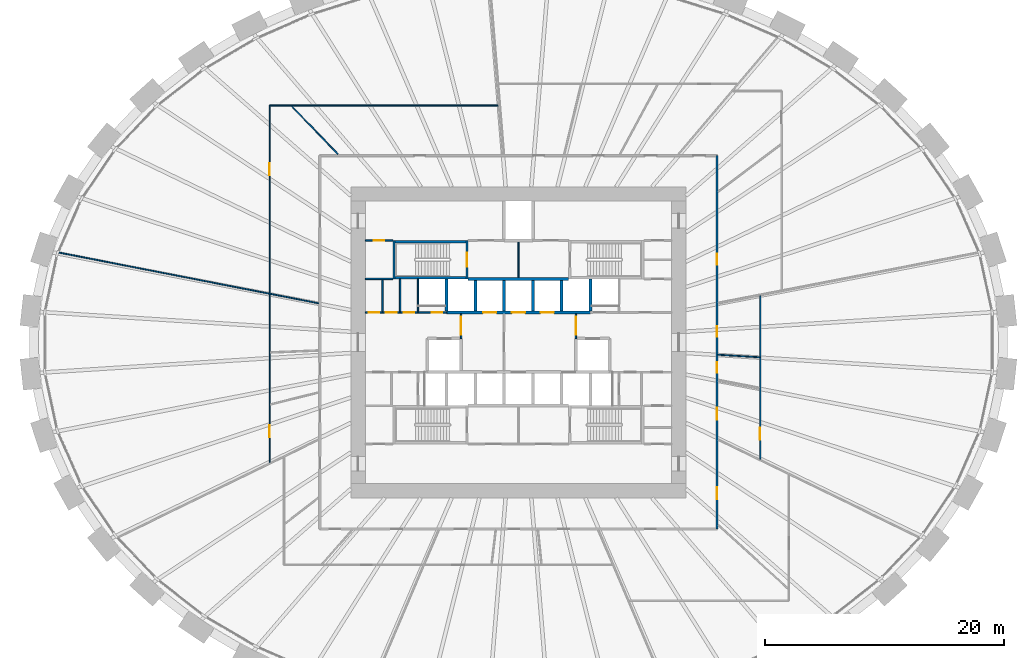
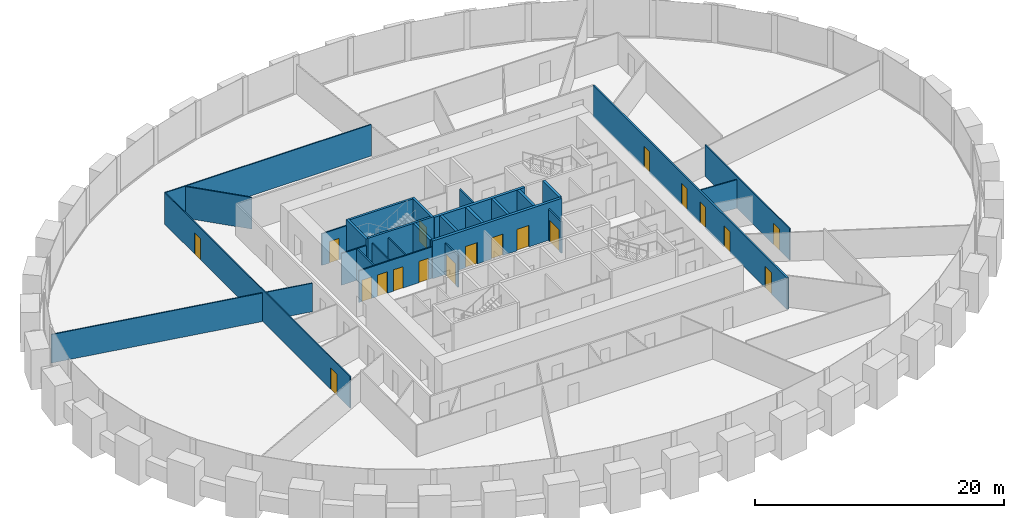
# One storey, part 8 of 11: 28 walls, 19 doors, 19 openings.
"""IFC4 building model written with IfcOpenShell, lengths in metres."""

from ifc_helpers import new_model, si_unit, direction, frame, frame_2d, origin, place, context, subcontext, project, spatial, rectangle, extrude, source, transform, mapped, material, layer, layer_set, type_object, element, fill, save


model = new_model("IFC4")

# Units and contexts
model_context = context("Model", 3, precision=1e-05, world=origin(), true_north=direction((0.0, 1.0)))
body_context = subcontext(model_context, "Body", "Model", "MODEL_VIEW")
ifc_project = project(units=[si_unit("LENGTHUNIT", "METRE"), si_unit("AREAUNIT", "SQUARE_METRE"), si_unit("VOLUMEUNIT", "CUBIC_METRE"), si_unit("PLANEANGLEUNIT", "RADIAN"), si_unit("MASSUNIT", "GRAM", prefix="KILO")], contexts=[model_context])

# Site, building, storey
site_placement = place(None, origin())
site = spatial("IfcSite", under=ifc_project, at=site_placement, CompositionType="ELEMENT")
building_placement = place(site_placement, origin())
building = spatial("IfcBuilding", under=site, at=building_placement, Name="Embergate Tower", CompositionType="ELEMENT")
storey_placement = place(building_placement, frame((0.0, 0.0, 69.800048828125)))
storey = spatial("IfcBuildingStorey", under=building, at=storey_placement, Name="L13", CompositionType="ELEMENT", Elevation=69.800048828125)

# Walls
ifc_material_1 = material(Name="Concrete C50", Category="concrete")
ifc_layer_1 = layer(ifc_material_1, 0.25)
ifc_layer_set_1 = layer_set([ifc_layer_1], Name="Concrete C50")
wall_type_1 = type_object("IfcWallType", Name="Hoistway wall reinforced concrete 250", PredefinedType="SHEAR", material=ifc_layer_set_1)
shared_shape_1 = source(origin(), body_context, "Body", "SweptSolid", [
    extrude(rectangle(XDim=2.675048828125, YDim=0.25, at=frame_2d((1.33740234375, 0.0))), origin(), (0.0, 0.0, 1.0), 3.699951171875),
])
for number, where, z_axis, x_axis, name in (
    (1, (-6.0, 2.625, 0.0), (0.0, 0.0, 1.0), (0.0, 1.0, 0.0), "HW-1 wall"),
    (2, (6.0, 2.625, 0.0), (0.0, 0.0, 1.0), (0.0, 1.0, 0.0), "HW-1 wall"),
):
    element("IfcWall", number, at=place(storey_placement, frame(where, z_axis=z_axis, x_axis=x_axis)), inside=storey, type_object=wall_type_1, Name=name, PredefinedType="SHEAR", context=body_context, shape_type="MappedRepresentation", body=[
        mapped(shared_shape_1, transform((0.0, 0.0, 0.0))),
    ])
ifc_layer_2 = layer(ifc_material_1, 0.199951171875)
ifc_layer_set_2 = layer_set([ifc_layer_2], Name="Concrete C50")
wall_type_2 = type_object("IfcWallType", Name="Stair enclosure wall reinforced concrete 250", PredefinedType="SHEAR", material=ifc_layer_set_2)
shared_shape_2 = source(origin(), body_context, "Body", "SweptSolid", [
    extrude(rectangle(XDim=6.300048828125, YDim=0.199951171875, at=frame_2d((3.14990234375, 0.0))), origin(), (0.0, 0.0, 1.0), 3.699951171875),
])
for number, where, z_axis, x_axis, name in (
    (3, (-4.199951171875, 5.39990234375, 0.0), (0.0, 0.0, 1.0), (-1.0, 0.0, 0.0), "SE-1 wall"),
    (4, (-4.199951171875, 8.39990234375, 0.0), (0.0, 0.0, 1.0), (-1.0, 0.0, 0.0), "SE-1 wall"),
):
    element("IfcWall", number, at=place(storey_placement, frame(where, z_axis=z_axis, x_axis=x_axis)), inside=storey, type_object=wall_type_2, Name=name, PredefinedType="SHEAR", context=body_context, shape_type="MappedRepresentation", body=[
        mapped(shared_shape_2, transform((0.0, 0.0, 0.0))),
    ])
shared_shape_3 = source(origin(), body_context, "Body", "SweptSolid", [
    extrude(rectangle(XDim=2.550048828125, YDim=0.25, at=frame_2d((1.27490234375, 0.0))), origin(), (0.0, 0.0, 1.0), 3.699951171875),
])
for number, where, z_axis, x_axis, name in (
    (5, (-3.60009765625, 2.625, 0.0), (0.0, 0.0, 1.0), (0.0, 1.0, 0.0), "HW-1 wall"),
    (6, (-1.199951171875, 2.625, 0.0), (0.0, 0.0, 1.0), (0.0, 1.0, 0.0), "HW-1 wall"),
    (7, (1.199951171875, 2.625, 0.0), (0.0, 0.0, 1.0), (0.0, 1.0, 0.0), "HW-1 wall"),
    (8, (3.60009765625, 2.625, 0.0), (0.0, 0.0, 1.0), (0.0, 1.0, 0.0), "HW-1 wall"),
):
    element("IfcWall", number, at=place(storey_placement, frame(where, z_axis=z_axis, x_axis=x_axis)), inside=storey, type_object=wall_type_1, Name=name, PredefinedType="SHEAR", context=body_context, shape_type="MappedRepresentation", body=[
        mapped(shared_shape_3, transform((0.0, 0.0, 0.0))),
    ])

# Wall, openings, doors
shared_shape_4 = source(origin(), body_context, "Body", "SweptSolid", [
    extrude(rectangle(XDim=12.0, YDim=0.25, at=frame_2d((6.0, 0.0))), origin(), (0.0, 0.0, 1.0), 3.699951171875),
])
wall_1_placement = place(storey_placement, frame((-6.0, 2.5, 0.0), z_axis=(0.0, 0.0, 1.0), x_axis=(1.0, 0.0, 0.0)))
wall_1 = element("IfcWall", 9, at=wall_1_placement, inside=storey, type_object=wall_type_1, Name="HW-1 wall", PredefinedType="SHEAR", context=body_context, shape_type="MappedRepresentation", body=[
    mapped(shared_shape_4, transform((0.0, 0.0, 0.0))),
])
shared_shape_5 = source(origin(), body_context, "Body", "SweptSolid", [
    extrude(rectangle(XDim=1.10009765625, YDim=2.10009765625, at=frame_2d((0.550048828125, 1.050048828125))), frame((0.0, 0.135009765625, 0.0), z_axis=(0.0, -1.0, 0.0), x_axis=(1.0, 0.0, 0.0)), (0.0, 0.0, 1.0), 0.27001953125),
])
opening_1_placement = place(wall_1_placement, frame((3.050048828125, 0.0, 0.0)))
opening_1 = element("IfcOpeningElement", 10, at=opening_1_placement, cuts=wall_1, Name="Opening LD", PredefinedType="OPENING", context=body_context, shape_type="MappedRepresentation", body=[
    mapped(shared_shape_5, transform((0.0, 0.0, 0.0))),
])
opening_2_placement = place(wall_1_placement, frame((5.449951171875, 0.0, 0.0)))
opening_2 = element("IfcOpeningElement", 11, at=opening_2_placement, cuts=wall_1, Name="Opening LD", PredefinedType="OPENING", context=body_context, shape_type="MappedRepresentation", body=[
    mapped(shared_shape_5, transform((0.0, 0.0, 0.0))),
])
opening_3_placement = place(wall_1_placement, frame((7.85009765625, 0.0, 0.0)))
opening_3 = element("IfcOpeningElement", 12, at=opening_3_placement, cuts=wall_1, Name="Opening LD", PredefinedType="OPENING", context=body_context, shape_type="MappedRepresentation", body=[
    mapped(shared_shape_5, transform((0.0, 0.0, 0.0))),
])
ifc_material_2 = material(Name="Landing door sliding 1100")
door_type_1 = type_object("IfcDoorType", Name="Landing door sliding 1100", OperationType="SLIDING_TO_LEFT", PredefinedType="DOOR", material=ifc_material_2)
shared_shape_6 = source(origin(), body_context, "Body", "SweptSolid", [
    extrude(rectangle(XDim=1.10009765625, YDim=2.10009765625, at=frame_2d((0.550048828125, 1.050048828125))), frame((0.0, 0.02490234375, 0.0), z_axis=(0.0, -1.0, 0.0), x_axis=(1.0, 0.0, 0.0)), (0.0, 0.0, 1.0), 0.050048828125),
])
door_1_placement = place(opening_1_placement, origin())
door_1 = element("IfcDoor", 13, at=door_1_placement, inside=storey, type_object=door_type_1, Name="LD door", OperationType="SLIDING_TO_LEFT", OverallHeight=2.10009765625, OverallWidth=1.10009765625, PredefinedType="DOOR", context=body_context, shape_type="MappedRepresentation", body=[
    mapped(shared_shape_6, transform((0.0, 0.0, 0.0))),
])
fill(opening_1, door_1)
door_2_placement = place(opening_2_placement, origin())
door_2 = element("IfcDoor", 14, at=door_2_placement, inside=storey, type_object=door_type_1, Name="LD door", OperationType="SLIDING_TO_LEFT", OverallHeight=2.10009765625, OverallWidth=1.10009765625, PredefinedType="DOOR", context=body_context, shape_type="MappedRepresentation", body=[
    mapped(shared_shape_6, transform((0.0, 0.0, 0.0))),
])
fill(opening_2, door_2)
door_3_placement = place(opening_3_placement, origin())
door_3 = element("IfcDoor", 15, at=door_3_placement, inside=storey, type_object=door_type_1, Name="LD door", OperationType="SLIDING_TO_LEFT", OverallHeight=2.10009765625, OverallWidth=1.10009765625, PredefinedType="DOOR", context=body_context, shape_type="MappedRepresentation", body=[
    mapped(shared_shape_6, transform((0.0, 0.0, 0.0))),
])
fill(opening_3, door_3)

# Wall
shared_shape_7 = source(origin(), body_context, "Body", "SweptSolid", [
    extrude(rectangle(XDim=8.39990234375, YDim=0.25, at=frame_2d((4.199951171875, 0.0))), origin(), (0.0, 0.0, 1.0), 3.699951171875),
])
wall_2_placement = place(storey_placement, frame((4.199951171875, 5.300048828125, 0.0), z_axis=(0.0, 0.0, 1.0), x_axis=(-1.0, 0.0, 0.0)))
element("IfcWall", 16, at=wall_2_placement, inside=storey, type_object=wall_type_1, Name="HW-1 wall", PredefinedType="SHEAR", context=body_context, shape_type="MappedRepresentation", body=[
    mapped(shared_shape_7, transform((0.0, 0.0, 0.0))),
])

# Wall, opening, door
shared_shape_8 = source(origin(), body_context, "Body", "SweptSolid", [
    extrude(rectangle(XDim=3.199951171875, YDim=0.199951171875, at=frame_2d((1.60009765625, 0.0))), origin(), (0.0, 0.0, 1.0), 3.699951171875),
])
wall_3_placement = place(storey_placement, frame((-4.300048828125, 5.300048828125, 0.0), z_axis=(0.0, 0.0, 1.0), x_axis=(0.0, 1.0, 0.0)))
wall_3 = element("IfcWall", 17, at=wall_3_placement, inside=storey, type_object=wall_type_2, Name="SE-1 wall", PredefinedType="SHEAR", context=body_context, shape_type="MappedRepresentation", body=[
    mapped(shared_shape_8, transform((0.0, 0.0, 0.0))),
])
shared_shape_9 = source(origin(), body_context, "Body", "SweptSolid", [
    extrude(rectangle(XDim=1.199951171875, YDim=2.10009765625, at=frame_2d((0.60009765625, 1.050048828125))), frame((0.0, 0.10986328125, 0.0), z_axis=(0.0, -1.0, 0.0), x_axis=(1.0, 0.0, 0.0)), (0.0, 0.0, 1.0), 0.219970703125),
])
opening_4_placement = place(wall_3_placement, frame((1.0, 0.0, 0.0)))
opening_4 = element("IfcOpeningElement", 18, at=opening_4_placement, cuts=wall_3, Name="Opening IF-2", PredefinedType="OPENING", context=body_context, shape_type="MappedRepresentation", body=[
    mapped(shared_shape_9, transform((0.0, 0.0, 0.0))),
])
ifc_material_3 = material(Name="Stair enclosure door 1200")
door_type_2 = type_object("IfcDoorType", Name="Stair enclosure door 1200", OperationType="SINGLE_SWING_LEFT", PredefinedType="DOOR", material=ifc_material_3)
shared_shape_10 = source(origin(), body_context, "Body", "SweptSolid", [
    extrude(rectangle(XDim=1.199951171875, YDim=2.10009765625, at=frame_2d((0.60009765625, 1.050048828125))), frame((0.0, 0.02490234375, 0.0), z_axis=(0.0, -1.0, 0.0), x_axis=(1.0, 0.0, 0.0)), (0.0, 0.0, 1.0), 0.050048828125),
])
door_4_placement = place(opening_4_placement, origin())
door_4 = element("IfcDoor", 19, at=door_4_placement, inside=storey, type_object=door_type_2, Name="IF-2 door", OperationType="SINGLE_SWING_LEFT", OverallHeight=2.10009765625, OverallWidth=1.199951171875, PredefinedType="DOOR", context=body_context, shape_type="MappedRepresentation", body=[
    mapped(shared_shape_10, transform((0.0, 0.0, 0.0))),
])
fill(opening_4, door_4)

# Wall
wall_4_placement = place(storey_placement, frame((-10.39990234375, 8.5, 0.0), z_axis=(0.0, 0.0, 1.0), x_axis=(0.0, -1.0, 0.0)))
element("IfcWall", 20, at=wall_4_placement, inside=storey, type_object=wall_type_2, Name="SE-1 wall", PredefinedType="SHEAR", context=body_context, shape_type="MappedRepresentation", body=[
    mapped(shared_shape_8, transform((0.0, 0.0, 0.0))),
])

# Wall, openings, doors
ifc_material_4 = material(Name="Core partition blockwork 120")
ifc_layer_3 = layer(ifc_material_4, 0.1201171875)
ifc_layer_set_3 = layer_set([ifc_layer_3], Name="Core partition blockwork 120")
wall_type_3 = type_object("IfcWallType", Name="Core partition blockwork 120", PredefinedType="PARTITIONING", material=ifc_layer_set_3)
shared_shape_11 = source(origin(), body_context, "Body", "SweptSolid", [
    extrude(rectangle(XDim=6.800048828125, YDim=0.1201171875, at=frame_2d((3.39990234375, 0.0))), origin(), (0.0, 0.0, 1.0), 3.099853515625),
])
wall_5_placement = place(storey_placement, frame((-12.800048828125, 2.5, 0.0), z_axis=(0.0, 0.0, 1.0), x_axis=(1.0, 0.0, 0.0)))
wall_5 = element("IfcWall", 21, at=wall_5_placement, inside=storey, type_object=wall_type_3, Name="IP-3 wall", PredefinedType="PARTITIONING", context=body_context, shape_type="MappedRepresentation", body=[
    mapped(shared_shape_11, transform((0.0, 0.0, 0.0))),
])
shared_shape_12 = source(origin(), body_context, "Body", "SweptSolid", [
    extrude(rectangle(XDim=0.89990234375, YDim=2.10009765625, at=frame_2d((0.449951171875, 1.050048828125))), frame((0.0, 0.070068359375, 0.0), z_axis=(0.0, -1.0, 0.0), x_axis=(1.0, 0.0, 0.0)), (0.0, 0.0, 1.0), 0.14013671875),
])
opening_5_placement = place(wall_5_placement, frame((5.550048828125, 0.0, 0.0)))
opening_5 = element("IfcOpeningElement", 22, at=opening_5_placement, cuts=wall_5, Name="Opening ID-1", PredefinedType="OPENING", context=body_context, shape_type="MappedRepresentation", body=[
    mapped(shared_shape_12, transform((0.0, 0.0, 0.0))),
])
opening_6_placement = place(wall_5_placement, frame((0.27587890625, 0.0, 0.0)))
opening_6 = element("IfcOpeningElement", 23, at=opening_6_placement, cuts=wall_5, Name="Opening ID-1", PredefinedType="OPENING", context=body_context, shape_type="MappedRepresentation", body=[
    mapped(shared_shape_12, transform((0.0, 0.0, 0.0))),
])
opening_7_placement = place(wall_5_placement, frame((1.72802734375, 0.0, 0.0)))
opening_7 = element("IfcOpeningElement", 24, at=opening_7_placement, cuts=wall_5, Name="Opening ID-1", PredefinedType="OPENING", context=body_context, shape_type="MappedRepresentation", body=[
    mapped(shared_shape_12, transform((0.0, 0.0, 0.0))),
])
opening_8_placement = place(wall_5_placement, frame((3.201904296875, 0.0, 0.0)))
opening_8 = element("IfcOpeningElement", 25, at=opening_8_placement, cuts=wall_5, Name="Opening ID-1", PredefinedType="OPENING", context=body_context, shape_type="MappedRepresentation", body=[
    mapped(shared_shape_12, transform((0.0, 0.0, 0.0))),
])
ifc_material_5 = material(Name="Interior door 900")
door_type_3 = type_object("IfcDoorType", Name="Interior door 900", OperationType="SINGLE_SWING_LEFT", PredefinedType="DOOR", material=ifc_material_5)
shared_shape_13 = source(origin(), body_context, "Body", "SweptSolid", [
    extrude(rectangle(XDim=0.89990234375, YDim=2.10009765625, at=frame_2d((0.449951171875, 1.050048828125))), frame((0.0, 0.02490234375, 0.0), z_axis=(0.0, -1.0, 0.0), x_axis=(1.0, 0.0, 0.0)), (0.0, 0.0, 1.0), 0.050048828125),
])
door_5_placement = place(opening_5_placement, origin())
door_5 = element("IfcDoor", 26, at=door_5_placement, inside=storey, type_object=door_type_3, Name="ID-1 door", OperationType="SINGLE_SWING_RIGHT", OverallHeight=2.10009765625, OverallWidth=0.89990234375, PredefinedType="DOOR", context=body_context, shape_type="MappedRepresentation", body=[
    mapped(shared_shape_13, transform((0.0, 0.0, 0.0))),
])
fill(opening_5, door_5)
door_6_placement = place(opening_6_placement, origin())
door_6 = element("IfcDoor", 27, at=door_6_placement, inside=storey, type_object=door_type_3, Name="ID-1 door", OperationType="SINGLE_SWING_RIGHT", OverallHeight=2.10009765625, OverallWidth=0.89990234375, PredefinedType="DOOR", context=body_context, shape_type="MappedRepresentation", body=[
    mapped(shared_shape_13, transform((0.0, 0.0, 0.0))),
])
fill(opening_6, door_6)
door_7_placement = place(opening_7_placement, origin())
door_7 = element("IfcDoor", 28, at=door_7_placement, inside=storey, type_object=door_type_3, Name="ID-1 door", OperationType="SINGLE_SWING_RIGHT", OverallHeight=2.10009765625, OverallWidth=0.89990234375, PredefinedType="DOOR", context=body_context, shape_type="MappedRepresentation", body=[
    mapped(shared_shape_13, transform((0.0, 0.0, 0.0))),
])
fill(opening_7, door_7)
door_8_placement = place(opening_8_placement, origin())
door_8 = element("IfcDoor", 29, at=door_8_placement, inside=storey, type_object=door_type_3, Name="ID-1 door", OperationType="SINGLE_SWING_LEFT", OverallHeight=2.10009765625, OverallWidth=0.89990234375, PredefinedType="DOOR", context=body_context, shape_type="MappedRepresentation", body=[
    mapped(shared_shape_13, transform((0.0, 0.0, 0.0))),
])
fill(opening_8, door_8)

# Walls
shared_shape_14 = source(origin(), body_context, "Body", "SweptSolid", [
    extrude(rectangle(XDim=2.739990234375, YDim=0.1201171875, at=frame_2d((1.3701171875, 0.0))), origin(), (0.0, 0.0, 1.0), 3.099853515625),
])
for number, where, z_axis, x_axis, name in (
    (30, (-8.39990234375, 5.300048828125, 0.0), (0.0, 0.0, 1.0), (0.0, -1.0, 0.0), "IP-3 wall"),
    (31, (-9.89599609375, 2.56005859375, 0.0), (0.0, 0.0, 1.0), (0.0, 1.0, 0.0), "IP-3 wall"),
):
    element("IfcWall", number, at=place(storey_placement, frame(where, z_axis=z_axis, x_axis=x_axis)), inside=storey, type_object=wall_type_3, Name=name, PredefinedType="PARTITIONING", context=body_context, shape_type="MappedRepresentation", body=[
        mapped(shared_shape_14, transform((0.0, 0.0, 0.0))),
    ])

# Wall, opening, door
shared_shape_15 = source(origin(), body_context, "Body", "SweptSolid", [
    extrude(rectangle(XDim=2.074951171875, YDim=0.1201171875, at=frame_2d((1.03759765625, 0.0))), origin(), (0.0, 0.0, 1.0), 3.099853515625),
])
wall_6_placement = place(storey_placement, frame((-4.800048828125, 2.375, 0.0), z_axis=(0.0, 0.0, 1.0), x_axis=(0.0, -1.0, 0.0)))
wall_6 = element("IfcWall", 32, at=wall_6_placement, inside=storey, type_object=wall_type_3, Name="IP-3 wall", PredefinedType="PARTITIONING", context=body_context, shape_type="MappedRepresentation", body=[
    mapped(shared_shape_15, transform((0.0, 0.0, 0.0))),
])
shared_shape_16 = source(origin(), body_context, "Body", "SweptSolid", [
    extrude(rectangle(XDim=1.5, YDim=2.10009765625, at=frame_2d((0.75, 1.050048828125))), frame((0.0, 0.070068359375, 0.0), z_axis=(0.0, -1.0, 0.0), x_axis=(1.0, 0.0, 0.0)), (0.0, 0.0, 1.0), 0.14013671875),
])
opening_9_placement = place(wall_6_placement, frame((0.22509765625, 0.0, 0.0)))
opening_9 = element("IfcOpeningElement", 33, at=opening_9_placement, cuts=wall_6, Name="Opening IF-3", PredefinedType="OPENING", context=body_context, shape_type="MappedRepresentation", body=[
    mapped(shared_shape_16, transform((0.0, 0.0, 0.0))),
])
ifc_material_6 = material(Name="Lobby fire door pair 1500")
door_type_4 = type_object("IfcDoorType", Name="Lobby fire door pair 1500", OperationType="DOUBLE_DOOR_SINGLE_SWING", PredefinedType="DOOR", material=ifc_material_6)
shared_shape_17 = source(origin(), body_context, "Body", "SweptSolid", [
    extrude(rectangle(XDim=1.5, YDim=2.10009765625, at=frame_2d((0.75, 1.050048828125))), frame((0.0, 0.02490234375, 0.0), z_axis=(0.0, -1.0, 0.0), x_axis=(1.0, 0.0, 0.0)), (0.0, 0.0, 1.0), 0.050048828125),
])
door_9_placement = place(opening_9_placement, origin())
door_9 = element("IfcDoor", 34, at=door_9_placement, inside=storey, type_object=door_type_4, Name="IF-3 door", OperationType="DOUBLE_DOOR_SINGLE_SWING", OverallHeight=2.10009765625, OverallWidth=1.5, PredefinedType="DOOR", context=body_context, shape_type="MappedRepresentation", body=[
    mapped(shared_shape_17, transform((0.0, 0.0, 0.0))),
])
fill(opening_9, door_9)

wall_7_placement = place(storey_placement, frame((4.800048828125, 0.300048828125, 0.0), z_axis=(0.0, 0.0, 1.0), x_axis=(0.0, 1.0, 0.0)))
wall_7 = element("IfcWall", 35, at=wall_7_placement, inside=storey, type_object=wall_type_3, Name="IP-3 wall", PredefinedType="PARTITIONING", context=body_context, shape_type="MappedRepresentation", body=[
    mapped(shared_shape_15, transform((0.0, 0.0, 0.0))),
])
opening_10_placement = place(wall_7_placement, frame((0.35009765625, 0.0, 0.0)))
opening_10 = element("IfcOpeningElement", 36, at=opening_10_placement, cuts=wall_7, Name="Opening IF-3", PredefinedType="OPENING", context=body_context, shape_type="MappedRepresentation", body=[
    mapped(shared_shape_16, transform((0.0, 0.0, 0.0))),
])
door_10_placement = place(opening_10_placement, origin())
door_10 = element("IfcDoor", 37, at=door_10_placement, inside=storey, type_object=door_type_4, Name="IF-3 door", OperationType="DOUBLE_DOOR_SINGLE_SWING", OverallHeight=2.10009765625, OverallWidth=1.5, PredefinedType="DOOR", context=body_context, shape_type="MappedRepresentation", body=[
    mapped(shared_shape_17, transform((0.0, 0.0, 0.0))),
])
fill(opening_10, door_10)

# Wall
shared_shape_18 = source(origin(), body_context, "Body", "SweptSolid", [
    extrude(rectangle(XDim=2.949951171875, YDim=0.1201171875, at=frame_2d((1.47509765625, 0.0))), origin(), (0.0, 0.0, 1.0), 3.099853515625),
])
wall_8_placement = place(storey_placement, frame((0.0, 5.425048828125, 0.0), z_axis=(0.0, 0.0, 1.0), x_axis=(0.0, 1.0, 0.0)))
element("IfcWall", 38, at=wall_8_placement, inside=storey, type_object=wall_type_3, Name="IP-3 wall", PredefinedType="PARTITIONING", context=body_context, shape_type="MappedRepresentation", body=[
    mapped(shared_shape_18, transform((0.0, 0.0, 0.0))),
])

# Wall, opening, door
shared_shape_19 = source(origin(), body_context, "Body", "SweptSolid", [
    extrude(rectangle(XDim=2.300048828125, YDim=0.1201171875, at=frame_2d((1.14990234375, 0.0))), origin(), (0.0, 0.0, 1.0), 3.099853515625),
])
wall_9_placement = place(storey_placement, frame((-12.800048828125, 8.5, 0.0), z_axis=(0.0, 0.0, 1.0), x_axis=(1.0, 0.0, 0.0)))
wall_9 = element("IfcWall", 39, at=wall_9_placement, inside=storey, type_object=wall_type_3, Name="IP-3 wall", PredefinedType="PARTITIONING", context=body_context, shape_type="MappedRepresentation", body=[
    mapped(shared_shape_19, transform((0.0, 0.0, 0.0))),
])
opening_11_placement = place(wall_9_placement, frame((0.699951171875, 0.0, 0.0)))
opening_11 = element("IfcOpeningElement", 40, at=opening_11_placement, cuts=wall_9, Name="Opening ID-1", PredefinedType="OPENING", context=body_context, shape_type="MappedRepresentation", body=[
    mapped(shared_shape_12, transform((0.0, 0.0, 0.0))),
])
door_11_placement = place(opening_11_placement, origin())
door_11 = element("IfcDoor", 41, at=door_11_placement, inside=storey, type_object=door_type_3, Name="ID-1 door", OperationType="SINGLE_SWING_LEFT", OverallHeight=2.10009765625, OverallWidth=0.89990234375, PredefinedType="DOOR", context=body_context, shape_type="MappedRepresentation", body=[
    mapped(shared_shape_13, transform((0.0, 0.0, 0.0))),
])
fill(opening_11, door_11)

# Walls
wall_10_placement = place(storey_placement, frame((-10.5, 5.300048828125, 0.0), z_axis=(0.0, 0.0, 1.0), x_axis=(-1.0, 0.0, 0.0)))
element("IfcWall", 42, at=wall_10_placement, inside=storey, type_object=wall_type_3, Name="IP-3 wall", PredefinedType="PARTITIONING", context=body_context, shape_type="MappedRepresentation", body=[
    mapped(shared_shape_19, transform((0.0, 0.0, 0.0))),
])
shared_shape_20 = source(origin(), body_context, "Body", "SweptSolid", [
    extrude(rectangle(XDim=2.679931640625, YDim=0.1201171875, at=frame_2d((1.33984375, 0.0))), origin(), (0.0, 0.0, 1.0), 3.099853515625),
])
wall_11_placement = place(storey_placement, frame((-11.347900390625, 2.56005859375, 0.0), z_axis=(0.0, 0.0, 1.0), x_axis=(0.0, 1.0, 0.0)))
element("IfcWall", 43, at=wall_11_placement, inside=storey, type_object=wall_type_3, Name="IP-3 wall", PredefinedType="PARTITIONING", context=body_context, shape_type="MappedRepresentation", body=[
    mapped(shared_shape_20, transform((0.0, 0.0, 0.0))),
])

# Wall, openings, doors
ifc_material_7 = material(Name="Corridor wall dry-lined 150")
ifc_layer_4 = layer(ifc_material_7, 0.14990234375)
ifc_layer_set_4 = layer_set([ifc_layer_4], Name="Corridor wall dry-lined 150")
wall_type_4 = type_object("IfcWallType", Name="Corridor wall dry-lined 150", PredefinedType="PARTITIONING", material=ifc_layer_set_4)
shared_shape_21 = source(origin(), body_context, "Body", "SweptSolid", [
    extrude(rectangle(XDim=31.2001953125, YDim=0.14990234375, at=frame_2d((15.60009765625, 0.0))), origin(), (0.0, 0.0, 1.0), 3.099853515625),
])
wall_12_placement = place(storey_placement, frame((16.60009765625, 15.60009765625, 0.0), z_axis=(0.0, 0.0, 1.0), x_axis=(0.0, -1.0, 0.0)))
wall_12 = element("IfcWall", 44, at=wall_12_placement, inside=storey, type_object=wall_type_4, Name="IP-2 wall", PredefinedType="PARTITIONING", context=body_context, shape_type="MappedRepresentation", body=[
    mapped(shared_shape_21, transform((0.0, 0.0, 0.0))),
])
shared_shape_22 = source(origin(), body_context, "Body", "SweptSolid", [
    extrude(rectangle(XDim=1.0, YDim=2.10009765625, at=frame_2d((0.5, 1.050048828125))), frame((0.0, 0.0849609375, 0.0), z_axis=(0.0, -1.0, 0.0), x_axis=(1.0, 0.0, 0.0)), (0.0, 0.0, 1.0), 0.169921875),
])
opening_12_placement = place(wall_12_placement, frame((27.712890625, 0.0, 0.0)))
opening_12 = element("IfcOpeningElement", 45, at=opening_12_placement, cuts=wall_12, Name="Opening ID-2", PredefinedType="OPENING", context=body_context, shape_type="MappedRepresentation", body=[
    mapped(shared_shape_22, transform((0.0, 0.0, 0.0))),
])
opening_13_placement = place(wall_12_placement, frame((21.06201171875, 0.0, 0.0)))
opening_13 = element("IfcOpeningElement", 46, at=opening_13_placement, cuts=wall_12, Name="Opening ID-2", PredefinedType="OPENING", context=body_context, shape_type="MappedRepresentation", body=[
    mapped(shared_shape_22, transform((0.0, 0.0, 0.0))),
])
shared_shape_23 = source(origin(), body_context, "Body", "SweptSolid", [
    extrude(rectangle(XDim=0.89990234375, YDim=2.10009765625, at=frame_2d((0.449951171875, 1.050048828125))), frame((0.0, 0.0849609375, 0.0), z_axis=(0.0, -1.0, 0.0), x_axis=(1.0, 0.0, 0.0)), (0.0, 0.0, 1.0), 0.169921875),
])
opening_14_placement = place(wall_12_placement, frame((17.2490234375, 0.0, 0.0)))
opening_14 = element("IfcOpeningElement", 47, at=opening_14_placement, cuts=wall_12, Name="Opening IF-1c", PredefinedType="OPENING", context=body_context, shape_type="MappedRepresentation", body=[
    mapped(shared_shape_23, transform((0.0, 0.0, 0.0))),
])
opening_15_placement = place(wall_12_placement, frame((14.237060546875, 0.0, 0.0)))
opening_15 = element("IfcOpeningElement", 48, at=opening_15_placement, cuts=wall_12, Name="Opening IF-1c", PredefinedType="OPENING", context=body_context, shape_type="MappedRepresentation", body=[
    mapped(shared_shape_23, transform((0.0, 0.0, 0.0))),
])
opening_16_placement = place(wall_12_placement, frame((8.201904296875, 0.0, 0.0)))
opening_16 = element("IfcOpeningElement", 49, at=opening_16_placement, cuts=wall_12, Name="Opening IF-1c", PredefinedType="OPENING", context=body_context, shape_type="MappedRepresentation", body=[
    mapped(shared_shape_23, transform((0.0, 0.0, 0.0))),
])
ifc_material_8 = material(Name="Escape fire door 900")
door_type_5 = type_object("IfcDoorType", Name="Escape fire door 900", OperationType="SINGLE_SWING_LEFT", PredefinedType="DOOR", material=ifc_material_8)
door_12_placement = place(opening_14_placement, origin())
door_12 = element("IfcDoor", 50, at=door_12_placement, inside=storey, type_object=door_type_5, Name="IF-1 door", OperationType="SINGLE_SWING_RIGHT", OverallHeight=2.10009765625, OverallWidth=0.89990234375, PredefinedType="DOOR", context=body_context, shape_type="MappedRepresentation", body=[
    mapped(shared_shape_13, transform((0.0, 0.0, 0.0))),
])
fill(opening_14, door_12)
door_13_placement = place(opening_15_placement, origin())
door_13 = element("IfcDoor", 51, at=door_13_placement, inside=storey, type_object=door_type_5, Name="IF-1 door", OperationType="SINGLE_SWING_RIGHT", OverallHeight=2.10009765625, OverallWidth=0.89990234375, PredefinedType="DOOR", context=body_context, shape_type="MappedRepresentation", body=[
    mapped(shared_shape_13, transform((0.0, 0.0, 0.0))),
])
fill(opening_15, door_13)
door_14_placement = place(opening_16_placement, origin())
door_14 = element("IfcDoor", 52, at=door_14_placement, inside=storey, type_object=door_type_5, Name="IF-1 door", OperationType="SINGLE_SWING_LEFT", OverallHeight=2.10009765625, OverallWidth=0.89990234375, PredefinedType="DOOR", context=body_context, shape_type="MappedRepresentation", body=[
    mapped(shared_shape_13, transform((0.0, 0.0, 0.0))),
])
fill(opening_16, door_14)
ifc_material_9 = material(Name="Interior door 1000")
door_type_6 = type_object("IfcDoorType", Name="Interior door 1000", OperationType="SINGLE_SWING_LEFT", PredefinedType="DOOR", material=ifc_material_9)
shared_shape_24 = source(origin(), body_context, "Body", "SweptSolid", [
    extrude(rectangle(XDim=1.0, YDim=2.10009765625, at=frame_2d((0.5, 1.050048828125))), frame((0.0, 0.02490234375, 0.0), z_axis=(0.0, -1.0, 0.0), x_axis=(1.0, 0.0, 0.0)), (0.0, 0.0, 1.0), 0.050048828125),
])
door_15_placement = place(opening_12_placement, origin())
door_15 = element("IfcDoor", 53, at=door_15_placement, inside=storey, type_object=door_type_6, Name="ID-2 door", OperationType="SINGLE_SWING_LEFT", OverallHeight=2.10009765625, OverallWidth=1.0, PredefinedType="DOOR", context=body_context, shape_type="MappedRepresentation", body=[
    mapped(shared_shape_24, transform((0.0, 0.0, 0.0))),
])
fill(opening_12, door_15)
door_16_placement = place(opening_13_placement, origin())
door_16 = element("IfcDoor", 54, at=door_16_placement, inside=storey, type_object=door_type_6, Name="ID-2 door", OperationType="SINGLE_SWING_LEFT", OverallHeight=2.10009765625, OverallWidth=1.0, PredefinedType="DOOR", context=body_context, shape_type="MappedRepresentation", body=[
    mapped(shared_shape_24, transform((0.0, 0.0, 0.0))),
])
fill(opening_13, door_16)

# Wall, opening, door
ifc_material_10 = material(Name="Partition dry-lined 100")
ifc_layer_5 = layer(ifc_material_10, 0.10009765625)
ifc_layer_set_5 = layer_set([ifc_layer_5], Name="Partition dry-lined 100")
wall_type_5 = type_object("IfcWallType", Name="Partition dry-lined 100", PredefinedType="PARTITIONING", material=ifc_layer_set_5)
shared_shape_25 = source(origin(), body_context, "Body", "SweptSolid", [
    extrude(rectangle(XDim=13.640869140625, YDim=0.10009765625, at=frame_2d((6.8203125, 0.0))), origin(), (0.0, 0.0, 1.0), 3.099853515625),
])
wall_13_placement = place(storey_placement, frame((20.199951171875, -9.7548828125, 0.0), z_axis=(0.0, 0.0, 1.0), x_axis=(0.0, 1.0, 0.0)))
wall_13 = element("IfcWall", 55, at=wall_13_placement, inside=storey, type_object=wall_type_5, Name="IP-1 wall", PredefinedType="PARTITIONING", context=body_context, shape_type="MappedRepresentation", body=[
    mapped(shared_shape_25, transform((0.0, 0.0, 0.0))),
])
shared_shape_26 = source(origin(), body_context, "Body", "SweptSolid", [
    extrude(rectangle(XDim=1.0, YDim=2.10009765625, at=frame_2d((0.5, 1.050048828125))), frame((0.0, 0.06005859375, 0.0), z_axis=(0.0, -1.0, 0.0), x_axis=(1.0, 0.0, 0.0)), (0.0, 0.0, 1.0), 0.1201171875),
])
opening_17_placement = place(wall_13_placement, frame((1.616455078125, 0.0, 0.0)))
opening_17 = element("IfcOpeningElement", 56, at=opening_17_placement, cuts=wall_13, Name="Opening ID-2", PredefinedType="OPENING", context=body_context, shape_type="MappedRepresentation", body=[
    mapped(shared_shape_26, transform((0.0, 0.0, 0.0))),
])
door_17_placement = place(opening_17_placement, origin())
door_17 = element("IfcDoor", 57, at=door_17_placement, inside=storey, type_object=door_type_6, Name="ID-2 door", OperationType="SINGLE_SWING_LEFT", OverallHeight=2.10009765625, OverallWidth=1.0, PredefinedType="DOOR", context=body_context, shape_type="MappedRepresentation", body=[
    mapped(shared_shape_24, transform((0.0, 0.0, 0.0))),
])
fill(opening_17, door_17)

# Walls
shared_shape_27 = source(origin(), body_context, "Body", "SweptSolid", [
    extrude(rectangle(XDim=3.4814453125, YDim=0.10009765625, at=frame_2d((1.74072265625, 0.0))), origin(), (0.0, 0.0, 1.0), 2.800048828125),
])
wall_14_placement = place(storey_placement, frame((16.675048828125, -1.033935546875, 0.0), z_axis=(0.0, 0.0, 1.0), x_axis=(0.9980897811, -0.061780165612, 0.0)))
element("IfcWall", 58, at=wall_14_placement, inside=storey, type_object=wall_type_5, Name="IP-1 wall", PredefinedType="PARTITIONING", context=body_context, shape_type="MappedRepresentation", body=[
    mapped(shared_shape_27, transform((0.0, 0.0, 0.0))),
])
shared_shape_28 = source(origin(), body_context, "Body", "SweptSolid", [
    extrude(rectangle(XDim=22.212158203125, YDim=0.10009765625, at=frame_2d((11.10595703125, 0.0))), origin(), (0.0, 0.0, 1.0), 2.800048828125),
])
wall_15_placement = place(storey_placement, frame((-38.485107421875, 7.51904296875, 0.0), z_axis=(0.0, 0.0, 1.0), x_axis=(0.981445163178, -0.191743035531, 0.0)))
element("IfcWall", 59, at=wall_15_placement, inside=storey, type_object=wall_type_5, Name="IP-1 wall", PredefinedType="PARTITIONING", context=body_context, shape_type="MappedRepresentation", body=[
    mapped(shared_shape_28, transform((0.0, 0.0, 0.0))),
])
shared_shape_29 = source(origin(), body_context, "Body", "SweptSolid", [
    extrude(rectangle(XDim=5.552734375, YDim=0.10009765625, at=frame_2d((2.7763671875, 0.0))), origin(), (0.0, 0.0, 1.0), 3.099853515625),
])
wall_16_placement = place(storey_placement, frame((-15.083984375, 15.7099609375, 0.0), z_axis=(0.0, 0.0, 1.0), x_axis=(-0.692627921964, 0.721295058707, 0.0)))
element("IfcWall", 60, at=wall_16_placement, inside=storey, type_object=wall_type_5, Name="IP-1 wall", PredefinedType="PARTITIONING", context=body_context, shape_type="MappedRepresentation", body=[
    mapped(shared_shape_29, transform((0.0, 0.0, 0.0))),
])
shared_shape_30 = source(origin(), body_context, "Body", "SweptSolid", [
    extrude(rectangle(XDim=19.131103515625, YDim=0.10009765625, at=frame_2d((9.5654296875, 0.0))), origin(), (0.0, 0.0, 1.0), 3.099853515625),
])
wall_17_placement = place(storey_placement, frame((-1.6689453125, 19.800048828125, 0.0), z_axis=(0.0, 0.0, 1.0), x_axis=(-1.0, 0.0, 0.0)))
element("IfcWall", 61, at=wall_17_placement, inside=storey, type_object=wall_type_5, Name="IP-1 wall", PredefinedType="PARTITIONING", context=body_context, shape_type="MappedRepresentation", body=[
    mapped(shared_shape_30, transform((0.0, 0.0, 0.0))),
])

# Wall, openings, doors
shared_shape_31 = source(origin(), body_context, "Body", "SweptSolid", [
    extrude(rectangle(XDim=29.84716796875, YDim=0.10009765625, at=frame_2d((14.923583984375, 0.0))), origin(), (0.0, 0.0, 1.0), 3.099853515625),
])
wall_18_placement = place(storey_placement, frame((-20.800048828125, 19.800048828125, 0.0), z_axis=(0.0, 0.0, 1.0), x_axis=(0.0, -1.0, 0.0)))
wall_18 = element("IfcWall", 62, at=wall_18_placement, inside=storey, type_object=wall_type_5, Name="IP-1 wall", PredefinedType="PARTITIONING", context=body_context, shape_type="MappedRepresentation", body=[
    mapped(shared_shape_31, transform((0.0, 0.0, 0.0))),
])
opening_18_placement = place(wall_18_placement, frame((4.823974609375, 0.0, 0.0)))
opening_18 = element("IfcOpeningElement", 63, at=opening_18_placement, cuts=wall_18, Name="Opening ID-2", PredefinedType="OPENING", context=body_context, shape_type="MappedRepresentation", body=[
    mapped(shared_shape_26, transform((0.0, 0.0, 0.0))),
])
opening_19_placement = place(wall_18_placement, frame((26.737060546875, 0.0, 0.0)))
opening_19 = element("IfcOpeningElement", 64, at=opening_19_placement, cuts=wall_18, Name="Opening ID-2", PredefinedType="OPENING", context=body_context, shape_type="MappedRepresentation", body=[
    mapped(shared_shape_26, transform((0.0, 0.0, 0.0))),
])
door_18_placement = place(opening_18_placement, origin())
door_18 = element("IfcDoor", 65, at=door_18_placement, inside=storey, type_object=door_type_6, Name="ID-2 door", OperationType="SINGLE_SWING_RIGHT", OverallHeight=2.10009765625, OverallWidth=1.0, PredefinedType="DOOR", context=body_context, shape_type="MappedRepresentation", body=[
    mapped(shared_shape_24, transform((0.0, 0.0, 0.0))),
])
fill(opening_18, door_18)
door_19_placement = place(opening_19_placement, origin())
door_19 = element("IfcDoor", 66, at=door_19_placement, inside=storey, type_object=door_type_6, Name="ID-2 door", OperationType="SINGLE_SWING_LEFT", OverallHeight=2.10009765625, OverallWidth=1.0, PredefinedType="DOOR", context=body_context, shape_type="MappedRepresentation", body=[
    mapped(shared_shape_24, transform((0.0, 0.0, 0.0))),
])
fill(opening_19, door_19)

save(model, "model.ifc")
